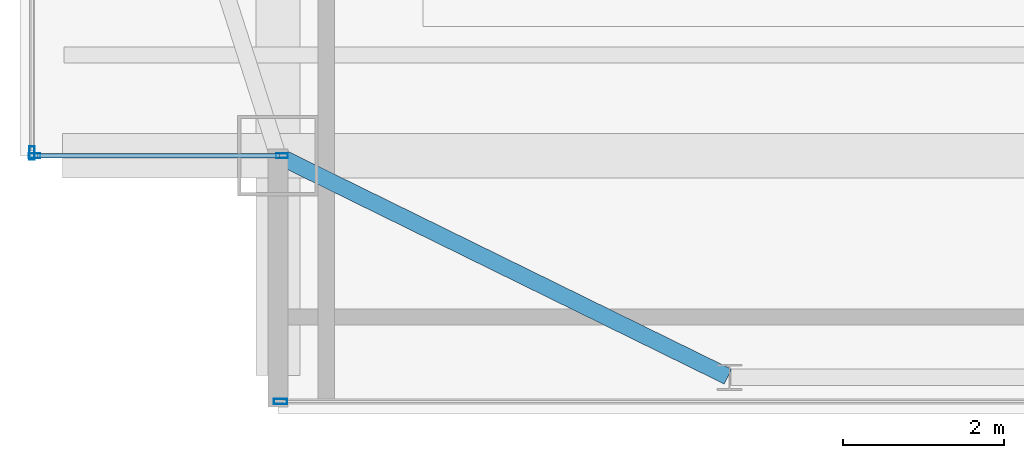
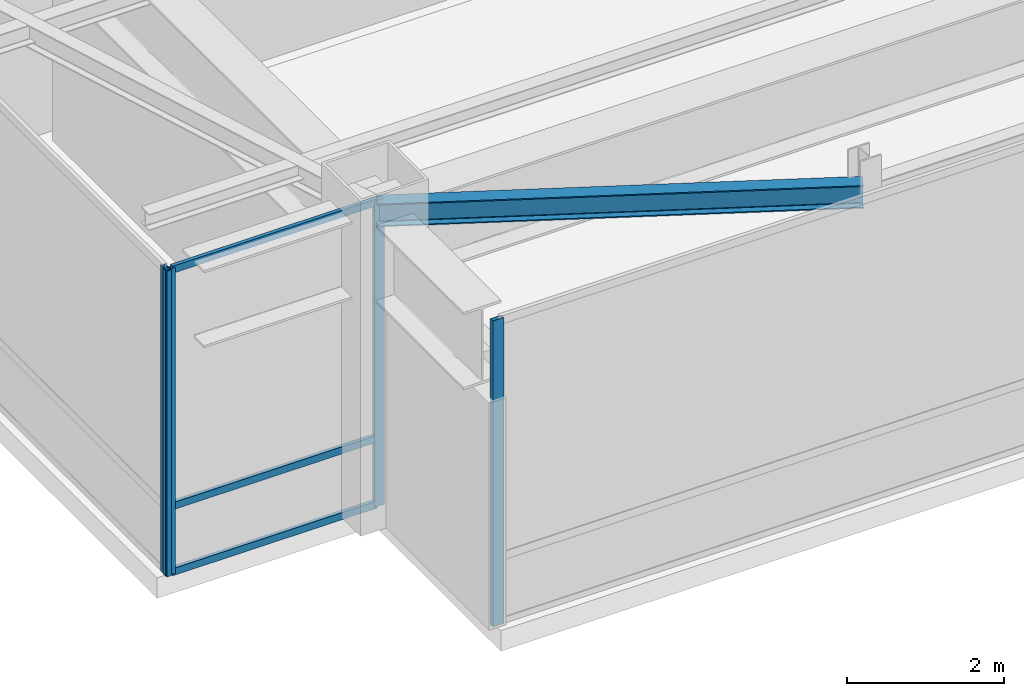
# One storey, part 4 of 20: 7 members, 1 beam, 3 elements without a shape of their own.
"""IFC4 building model written with IfcOpenShell, lengths in metres."""

import ifcopenshell
import ifcopenshell.guid

model = None  # the IFC model being written
_history = None  # IfcOwnerHistory: only IFC2X3 demands one
_inside = {}  # id of a spatial element -> (the spatial element, [elements in it])
_under = {}  # id of a project, library or spatial element -> (it, [spatial elements below it])
_declared = {}  # id of a project -> (the project, [libraries it declares])
_typed = {}  # id of a type object -> (the type object, [elements of that type])
_made_of = {}  # id of a material, layer set ... -> (it, [elements and type objects made of it])


def new_model(schema):
    """Start an empty IFC model of exactly this schema.

    Asked for "IFC4X3", IfcOpenShell would pick the latest addendum, in which some entities
    have other attributes; the version numbers below select the first issue.
    IFC2X3 requires an IfcOwnerHistory on every rooted entity: one is made here for all.
    """
    global model, _history
    if schema == "IFC4X3":
        model = ifcopenshell.file(schema_version=(4, 3, 0, 0))
    else:
        model = ifcopenshell.file(schema=schema)
    _inside.clear()
    _under.clear()
    _declared.clear()
    _typed.clear()
    _made_of.clear()
    _history = None
    if model.schema == "IFC2X3":
        org = make("IfcOrganization", Name="unknown")
        user = make(
            "IfcPersonAndOrganization",
            ThePerson=make("IfcPerson", FamilyName="unknown"),
            TheOrganization=org,
        )
        app = make(
            "IfcApplication",
            ApplicationDeveloper=org,
            Version="unknown",
            ApplicationFullName="unknown",
            ApplicationIdentifier="unknown",
        )
        _history = make(
            "IfcOwnerHistory",
            OwningUser=user,
            OwningApplication=app,
            ChangeAction="ADDED",
            CreationDate=0,
        )
    return model


def make(cls, **values):
    """One entity of the class cls with the attributes given. An attribute that is None is left unset."""
    return model.create_entity(
        cls, **{name: value for name, value in values.items() if value is not None}
    )


def rooted(cls, **values):
    """An entity with a GlobalId (a new one), such as an element, a storey or a relation."""
    return make(cls, GlobalId=ifcopenshell.guid.new(), OwnerHistory=_history, **values)


def si_unit(unit_type, name, prefix=None):
    """IfcSIUnit, for example si_unit("LENGTHUNIT", "METRE", prefix="MILLI")."""
    return make("IfcSIUnit", UnitType=unit_type, Prefix=prefix, Name=name)


def assignment(units):
    """IfcUnitAssignment: the units of a project."""
    return None if units is None else make("IfcUnitAssignment", Units=units)


def point(xyz):
    """IfcCartesianPoint."""
    return None if xyz is None else make("IfcCartesianPoint", Coordinates=xyz)


def direction(xyz):
    """IfcDirection."""
    return None if xyz is None else make("IfcDirection", DirectionRatios=xyz)


def frame(location, z_axis=None, x_axis=None):
    """IfcAxis2Placement3D, a coordinate frame: its origin and axes. An axis left out is left unset."""
    return make(
        "IfcAxis2Placement3D",
        Location=point(location),
        Axis=direction(z_axis),
        RefDirection=direction(x_axis),
    )


def frame_2d(location, x_axis=None):
    """IfcAxis2Placement2D, a coordinate frame in the plane: its origin and x axis."""
    return make(
        "IfcAxis2Placement2D", Location=point(location), RefDirection=direction(x_axis)
    )


def origin():
    """The frame at (0, 0, 0) with its axes left unset."""
    return frame((0.0, 0.0, 0.0))


def origin_2d():
    """The frame at (0, 0) in the plane with its x axis left unset."""
    return frame_2d((0.0, 0.0))


def place(relative_to, where):
    """IfcLocalPlacement: puts the frame where relative to a parent placement (None: the world)."""
    return make(
        "IfcLocalPlacement", PlacementRelTo=relative_to, RelativePlacement=where
    )


def context(
    kind, dimensions, precision=None, world=None, true_north=None, identifier=None
):
    """IfcGeometricRepresentationContext, for example the 3D "Model" context."""
    return make(
        "IfcGeometricRepresentationContext",
        ContextIdentifier=identifier,
        ContextType=kind,
        CoordinateSpaceDimension=dimensions,
        Precision=precision,
        WorldCoordinateSystem=world,
        TrueNorth=true_north,
    )


def subcontext(parent, identifier, kind, view, scale=None):
    """IfcGeometricRepresentationSubContext, for example "Body" below "Model"."""
    return make(
        "IfcGeometricRepresentationSubContext",
        ContextIdentifier=identifier,
        ContextType=kind,
        ParentContext=parent,
        TargetScale=scale,
        TargetView=view,
    )


def project(units=None, contexts=None):
    """IfcProject with its units and contexts."""
    return rooted(
        "IfcProject",
        Name="project",
        RepresentationContexts=contexts,
        UnitsInContext=assignment(units),
    )


def spatial(cls, under=None, at=None, **own):
    """A site, building, storey or space (cls), placed at a placement, below another one or the project."""
    s = rooted(cls, ObjectPlacement=at, **own)
    if under is not None:
        _under.setdefault(under.id(), (under, []))[1].append(s)
    return s


def profile(cls, at=None, kind="AREA", **sizes):
    """A parametric profile (cls). Its sizes go by their IFC names, for example OverallWidth=200.0."""
    return make(cls, ProfileType=kind, Position=at, **sizes)


def hollow_rectangle(**sizes):
    """IfcRectangleHollowProfileDef."""
    return profile("IfcRectangleHollowProfileDef", **sizes)


def i_section(**sizes):
    """IfcIShapeProfileDef."""
    return profile("IfcIShapeProfileDef", **sizes)


def extrude(swept, where, along, depth):
    """IfcExtrudedAreaSolid: the profile swept, set in the frame where, extruded along a direction by depth."""
    return make(
        "IfcExtrudedAreaSolid",
        SweptArea=swept,
        Position=where,
        ExtrudedDirection=direction(along),
        Depth=depth,
    )


def shape(context_of_items, identifier, shape_type, items):
    """IfcShapeRepresentation: the items that make up one representation, for example the "Body"."""
    return make(
        "IfcShapeRepresentation",
        ContextOfItems=context_of_items,
        RepresentationIdentifier=identifier,
        RepresentationType=shape_type,
        Items=items,
    )


def source(mapping_origin, context_of_items, identifier, shape_type, items):
    """IfcRepresentationMap: a shape defined once, which mapped items show again and again."""
    return make(
        "IfcRepresentationMap",
        MappingOrigin=mapping_origin,
        MappedRepresentation=shape(context_of_items, identifier, shape_type, items),
    )


def transform(
    local_origin,
    x_axis=None,
    y_axis=None,
    z_axis=None,
    scale=None,
    scale2=None,
    scale3=None,
    uniform=True,
):
    """IfcCartesianTransformationOperator3D, or its non-uniform kind. x_axis, y_axis, z_axis: its Axis1, 2, 3."""
    if uniform:
        return make(
            "IfcCartesianTransformationOperator3D",
            Axis1=direction(x_axis),
            Axis2=direction(y_axis),
            LocalOrigin=point(local_origin),
            Scale=scale,
            Axis3=direction(z_axis),
        )
    return make(
        "IfcCartesianTransformationOperator3DnonUniform",
        Axis1=direction(x_axis),
        Axis2=direction(y_axis),
        LocalOrigin=point(local_origin),
        Scale=scale,
        Axis3=direction(z_axis),
        Scale2=scale2,
        Scale3=scale3,
    )


def mapped(mapping_source, mapping_target):
    """IfcMappedItem: shows the shape of a source again, moved by a transform."""
    return make(
        "IfcMappedItem", MappingSource=mapping_source, MappingTarget=mapping_target
    )


def material(Name=None, Category=None):
    """IfcMaterial."""
    return make("IfcMaterial", Name=Name, Category=Category)


def layer(
    of_material, thickness, ventilated=None, Name=None, Category=None, Priority=None
):
    """IfcMaterialLayer: one layer of a wall or slab, of a material (None: an air gap)."""
    return make(
        "IfcMaterialLayer",
        Material=of_material,
        LayerThickness=thickness,
        IsVentilated=ventilated,
        Name=Name,
        Category=Category,
        Priority=Priority,
    )


def layer_set(layers, Name=None):
    """IfcMaterialLayerSet."""
    return make("IfcMaterialLayerSet", MaterialLayers=layers, LayerSetName=Name)


def material_profile(
    of_material, cross_section, Name=None, Category=None, Priority=None
):
    """IfcMaterialProfile: a cross section and its material."""
    return make(
        "IfcMaterialProfile",
        Name=Name,
        Material=of_material,
        Profile=cross_section,
        Priority=Priority,
        Category=Category,
    )


def profile_set(profiles, Name=None, composite=None):
    """IfcMaterialProfileSet."""
    return make(
        "IfcMaterialProfileSet",
        Name=Name,
        MaterialProfiles=profiles,
        CompositeProfile=composite,
    )


def made_of(thing, what):
    """Note that an element or type object is made of a material, layer set ...; save() writes the relation."""
    if what is not None:
        _made_of.setdefault(what.id(), (what, []))[1].append(thing)
    return thing


def type_object(cls, material=None, **own):
    """A type object (cls), such as IfcWallType, which elements share."""
    return made_of(rooted(cls, **own), material)


def type_shapes(of_type, sources):
    """Give a type object the sources (RepresentationMaps) that its elements show as mapped items."""
    of_type.RepresentationMaps = sources


def element(
    cls,
    number,
    at=None,
    inside=None,
    cuts=None,
    type_object=None,
    material=None,
    context=None,
    identifier="Body",
    shape_type=None,
    held_by="IfcProductDefinitionShape",
    body=None,
    shapes=None,
    **own,
):
    """One element of the class cls, such as IfcWall. Its Tag is "e" and its number.

    at: its placement. inside: the storey or other place that contains it. cuts: it is an
    opening in that element (IfcRelVoidsElement). A single representation is given by context,
    identifier, shape_type and body (its items); several are given by shapes. held_by: the class
    of the entity that holds the representations. save() writes the other relations.
    """
    e = rooted(cls, Tag="e%d" % number, ObjectPlacement=at, **own)
    if body is not None:
        shapes = [shape(context, identifier, shape_type, body)]
    if shapes is not None:
        e.Representation = make(held_by, Representations=shapes)
    if inside is not None:
        _inside.setdefault(inside.id(), (inside, []))[1].append(e)
    if cuts is not None:
        rooted(
            "IfcRelVoidsElement", RelatingBuildingElement=cuts, RelatedOpeningElement=e
        )
    if type_object is not None:
        _typed.setdefault(type_object.id(), (type_object, []))[1].append(e)
    return made_of(e, material)


def aggregate(whole, parts):
    """IfcRelAggregates: a whole, such as a stair, and the parts it consists of."""
    return rooted("IfcRelAggregates", RelatingObject=whole, RelatedObjects=parts)


def save(model, path):
    """Write the relations noted so far, then the file.

    IfcRelAggregates (storeys below a building ...), IfcRelContainedInSpatialStructure (elements
    in a storey), IfcRelDefinesByType, IfcRelAssociatesMaterial and IfcRelDeclares: one each for
    every whole, place, type object, material and project.
    """
    for whole, parts in _under.values():
        aggregate(whole, parts)
    for where, things in _inside.values():
        rooted(
            "IfcRelContainedInSpatialStructure",
            RelatedElements=things,
            RelatingStructure=where,
        )
    for kind, things in _typed.values():
        rooted("IfcRelDefinesByType", RelatedObjects=things, RelatingType=kind)
    for what, things in _made_of.values():
        rooted("IfcRelAssociatesMaterial", RelatedObjects=things, RelatingMaterial=what)
    for by, libraries in _declared.values():
        rooted("IfcRelDeclares", RelatingContext=by, RelatedDefinitions=libraries)
    model.write(path)


model = new_model("IFC4")

# Units and contexts
model_context = context("Model", 3, precision=1e-05, world=origin(), true_north=direction((0.0, 1.0)))
body_context = subcontext(model_context, "Body", "Model", "MODEL_VIEW")
ifc_project = project(units=[si_unit("LENGTHUNIT", "METRE"), si_unit("AREAUNIT", "SQUARE_METRE"), si_unit("VOLUMEUNIT", "CUBIC_METRE"), si_unit("PLANEANGLEUNIT", "RADIAN"), si_unit("MASSUNIT", "GRAM", prefix="KILO")], contexts=[model_context])

# Site, building, storey
site_placement = place(None, origin())
site = spatial("IfcSite", under=ifc_project, at=site_placement, CompositionType="ELEMENT")
building_placement = place(site_placement, origin())
building = spatial("IfcBuilding", under=site, at=building_placement, Name="Varnel Quay Broadcast Tower", CompositionType="ELEMENT")
storey_placement = place(building_placement, frame((0.0, 0.0, 314.60009765625)))
storey = spatial("IfcBuildingStorey", under=building, at=storey_placement, Name="L78", CompositionType="ELEMENT", Elevation=314.60009765625)

# Beam
ifc_material_1 = material(Name="Structural Steel CSA G40.21 350W", Category="steel")
ifc_material_profile_1 = material_profile(ifc_material_1, i_section(OverallWidth=0.205078125, OverallDepth=0.35400390625, WebThickness=0.009521484375, FlangeThickness=0.016845703125, FilletRadius=0.012939453125, at=origin_2d()), Name="W360X79")
ifc_profile_set_1 = profile_set([ifc_material_profile_1], Name="Structural Steel CSA G40.21 350W")
beam_type = type_object("IfcBeamType", Name="Beam_W360X79", PredefinedType="SPANDREL", material=ifc_profile_set_1)
shared_shape_1 = source(origin(), body_context, "Body", "SweptSolid", [
    extrude(i_section(OverallWidth=0.205078125, OverallDepth=0.35400390625, WebThickness=0.009521484375, FlangeThickness=0.016845703125, FilletRadius=0.012939453125, at=origin_2d()), origin(), (0.0, 0.0, 1.0), 6.19873046875),
])
type_shapes(beam_type, [shared_shape_1])
beam_placement = place(storey_placement, frame((15.218017578125, 16.39111328125, 4.572998046875), z_axis=(0.897602447358, -0.440805905697, 0.0), x_axis=(0.440805905697, 0.897602447358, 0.0)))
element("IfcBeam", 1, at=beam_placement, inside=storey, type_object=beam_type, Name="L78 South Spandrel MC-SW-TC-S1", PredefinedType="SPANDREL", context=body_context, shape_type="MappedRepresentation", body=[
    mapped(shared_shape_1, transform((0.0, 0.0, 0.0), x_axis=(1.0, 0.0, 0.0), y_axis=(0.0, 1.0, 0.0), z_axis=(0.0, 0.0, 1.0), scale=1.0)),
])

# Curtain wall, members
ifc_material_2 = material(Name="Anodised Bronze Aluminium 6063-T6", Category="aluminium")
ifc_layer_1 = layer(ifc_material_2, 0.18994140625, Name="Anodised Bronze Aluminium 6063-T6")
ifc_layer_set_1 = layer_set([ifc_layer_1], Name="Anodised Bronze Aluminium 6063-T6")
curtain_wall_type_1 = type_object("IfcCurtainWallType", Name="CW_NotchCorner", PredefinedType="NOTDEFINED", material=ifc_layer_set_1)
curtain_wall_1_placement = place(storey_placement, origin())
curtain_wall_1 = element("IfcCurtainWall", 2, at=curtain_wall_1_placement, inside=storey, type_object=curtain_wall_type_1, Name="L78 SW Notch Curtain Wall", PredefinedType="NOTDEFINED")
ifc_material_profile_2 = material_profile(ifc_material_2, hollow_rectangle(XDim=0.054931640625, YDim=0.110107421875, WallThickness=0.0029296875, at=origin_2d()), Name="ALU55X110X3")
ifc_profile_set_2 = profile_set([ifc_material_profile_2], Name="Anodised Bronze Aluminium 6063-T6")
member_type_1 = type_object("IfcMemberType", Name="Tran_CWS-04", PredefinedType="USERDEFINED", material=ifc_profile_set_2)
shared_shape_2 = source(origin(), body_context, "Body", "SweptSolid", [
    extrude(hollow_rectangle(XDim=0.054931640625, YDim=0.110107421875, WallThickness=0.0029296875, at=origin_2d()), origin(), (0.0, 0.0, 1.0), 3.010009765625),
])
type_shapes(member_type_1, [shared_shape_2])
member_1_placement = place(storey_placement, frame((12.2099609375, 16.39990234375, 0.02734375), z_axis=(1.0, 0.0, 0.0), x_axis=(0.0, 1.0, 0.0)))
member_1 = element("IfcMember", 3, at=member_1_placement, type_object=member_type_1, Name="CWS-04 transom 1.1", ObjectType="TRANSOM", PredefinedType="USERDEFINED", context=body_context, shape_type="MappedRepresentation", body=[
    mapped(shared_shape_2, transform((0.0, 0.0, 0.0), x_axis=(1.0, 0.0, 0.0), y_axis=(0.0, 1.0, 0.0), z_axis=(0.0, 0.0, 1.0), scale=1.0)),
])
member_2_placement = place(storey_placement, frame((12.2099609375, 16.39990234375, 1.0498046875), z_axis=(1.0, 0.0, 0.0), x_axis=(0.0, 1.0, 0.0)))
member_2 = element("IfcMember", 4, at=member_2_placement, type_object=member_type_1, Name="CWS-04 transom 1.2", ObjectType="TRANSOM", PredefinedType="USERDEFINED", context=body_context, shape_type="MappedRepresentation", body=[
    mapped(shared_shape_2, transform((0.0, 0.0, 0.0), x_axis=(1.0, 0.0, 0.0), y_axis=(0.0, 1.0, 0.0), z_axis=(0.0, 0.0, 1.0), scale=1.0)),
])
member_3_placement = place(storey_placement, frame((12.2099609375, 16.39990234375, 4.722412109375), z_axis=(1.0, 0.0, 0.0), x_axis=(0.0, 1.0, 0.0)))
member_3 = element("IfcMember", 5, at=member_3_placement, type_object=member_type_1, Name="CWS-04 transom 1.3", ObjectType="TRANSOM", PredefinedType="USERDEFINED", context=body_context, shape_type="MappedRepresentation", body=[
    mapped(shared_shape_2, transform((0.0, 0.0, 0.0), x_axis=(1.0, 0.0, 0.0), y_axis=(0.0, 1.0, 0.0), z_axis=(0.0, 0.0, 1.0), scale=1.0)),
])

# Curtain wall, member
ifc_layer_2 = layer(ifc_material_2, 0.18994140625, Name="Anodised Bronze Aluminium 6063-T6")
ifc_layer_set_2 = layer_set([ifc_layer_2], Name="Anodised Bronze Aluminium 6063-T6")
curtain_wall_type_2 = type_object("IfcCurtainWallType", Name="CW_UpperTower", PredefinedType="NOTDEFINED", material=ifc_layer_set_2)
curtain_wall_2_placement = place(storey_placement, origin())
curtain_wall_2 = element("IfcCurtainWall", 6, at=curtain_wall_2_placement, inside=storey, type_object=curtain_wall_type_2, Name="L78 South Unitised Curtain Wall 1", PredefinedType="NOTDEFINED")
ifc_material_profile_3 = material_profile(ifc_material_2, hollow_rectangle(XDim=0.06494140625, YDim=0.1650390625, WallThickness=0.00341796875, at=origin_2d()), Name="ALU65X165X3.5")
ifc_profile_set_3 = profile_set([ifc_material_profile_3], Name="Anodised Bronze Aluminium 6063-T6")
member_type_2 = type_object("IfcMemberType", Name="Mull_CWS-03", PredefinedType="MULLION", material=ifc_profile_set_3)
shared_shape_3 = source(origin(), body_context, "Body", "SweptSolid", [
    extrude(hollow_rectangle(XDim=0.06494140625, YDim=0.1650390625, WallThickness=0.00341796875, at=origin_2d()), origin(), (0.0, 0.0, 1.0), 4.75),
])
type_shapes(member_type_2, [shared_shape_3])
member_4_placement = place(storey_placement, frame((15.232421875, 13.35009765625, 0.0), z_axis=(0.0, 0.0, 1.0), x_axis=(0.0, 1.0, 0.0)))
member_4 = element("IfcMember", 7, at=member_4_placement, type_object=member_type_2, Name="CWS-03 mullion 1", PredefinedType="MULLION", context=body_context, shape_type="MappedRepresentation", body=[
    mapped(shared_shape_3, transform((0.0, 0.0, 0.0), x_axis=(1.0, 0.0, 0.0), y_axis=(0.0, 1.0, 0.0), z_axis=(0.0, 0.0, 1.0), scale=1.0)),
])
aggregate(curtain_wall_2, [member_4])

curtain_wall_3_placement = place(storey_placement, origin())
curtain_wall_3 = element("IfcCurtainWall", 8, at=curtain_wall_3_placement, inside=storey, type_object=curtain_wall_type_2, Name="L78 West Unitised Curtain Wall", PredefinedType="NOTDEFINED")
member_5_placement = place(storey_placement, frame((12.14990234375, 16.4326171875, 0.0), z_axis=(0.0, 0.0, 1.0), x_axis=(-1.0, 0.0, 0.0)))
member_5 = element("IfcMember", 9, at=member_5_placement, type_object=member_type_2, Name="CWS-03 mullion 1", PredefinedType="MULLION", context=body_context, shape_type="MappedRepresentation", body=[
    mapped(shared_shape_3, transform((0.0, 0.0, 0.0), x_axis=(1.0, 0.0, 0.0), y_axis=(0.0, 1.0, 0.0), z_axis=(0.0, 0.0, 1.0), scale=1.0)),
])
aggregate(curtain_wall_3, [member_5])

# Member
ifc_material_profile_4 = material_profile(ifc_material_2, hollow_rectangle(XDim=0.06005859375, YDim=0.14501953125, WallThickness=0.00341796875, at=origin_2d()), Name="ALU60X145X3.5")
ifc_profile_set_4 = profile_set([ifc_material_profile_4], Name="Anodised Bronze Aluminium 6063-T6")
member_type_3 = type_object("IfcMemberType", Name="Mull_CWS-04", PredefinedType="MULLION", material=ifc_profile_set_4)
shared_shape_4 = source(origin(), body_context, "Body", "SweptSolid", [
    extrude(hollow_rectangle(XDim=0.06005859375, YDim=0.14501953125, WallThickness=0.00341796875, at=origin_2d()), origin(), (0.0, 0.0, 1.0), 4.75),
])
type_shapes(member_type_3, [shared_shape_4])
member_6_placement = place(storey_placement, frame((12.179931640625, 16.39990234375, 0.0), z_axis=(0.0, 0.0, 1.0), x_axis=(0.0, 1.0, 0.0)))
member_6 = element("IfcMember", 10, at=member_6_placement, type_object=member_type_3, Name="CWS-04 mullion 1", PredefinedType="MULLION", context=body_context, shape_type="MappedRepresentation", body=[
    mapped(shared_shape_4, transform((0.0, 0.0, 0.0), x_axis=(1.0, 0.0, 0.0), y_axis=(0.0, 1.0, 0.0), z_axis=(0.0, 0.0, 1.0), scale=1.0)),
])

member_7_placement = place(storey_placement, frame((15.25, 16.39990234375, 0.0), z_axis=(0.0, 0.0, 1.0), x_axis=(0.0, 1.0, 0.0)))
member_7 = element("IfcMember", 11, at=member_7_placement, type_object=member_type_3, Name="CWS-04 mullion 2", PredefinedType="MULLION", context=body_context, shape_type="MappedRepresentation", body=[
    mapped(shared_shape_4, transform((0.0, 0.0, 0.0), x_axis=(1.0, 0.0, 0.0), y_axis=(0.0, 1.0, 0.0), z_axis=(0.0, 0.0, 1.0), scale=1.0)),
])

aggregate(curtain_wall_1, [member_6, member_7, member_1, member_2, member_3])

save(model, "model.ifc")
